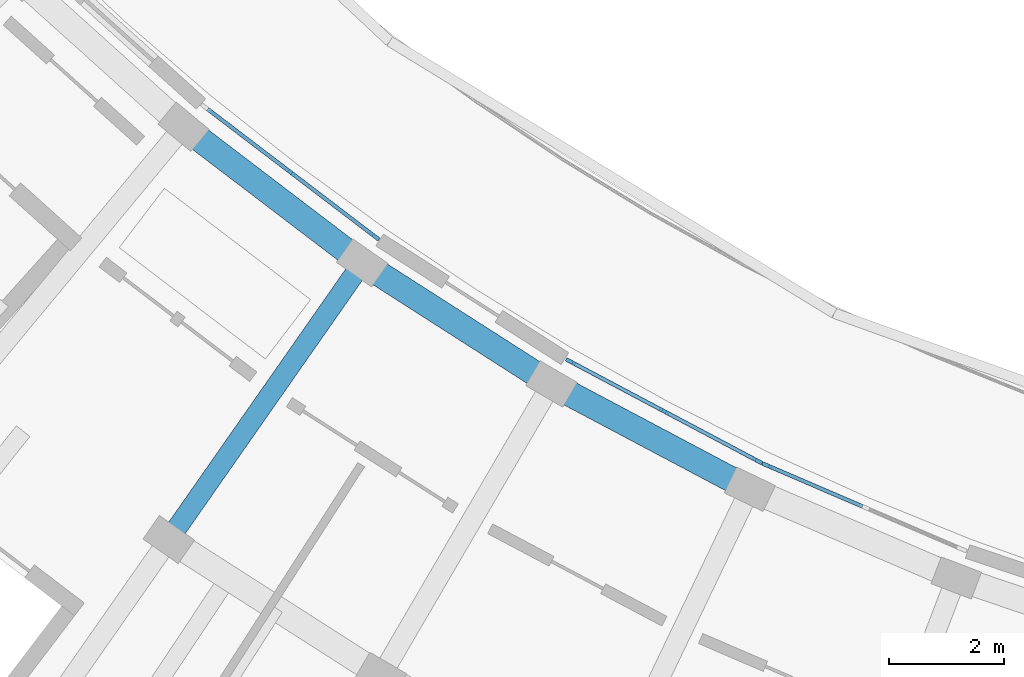
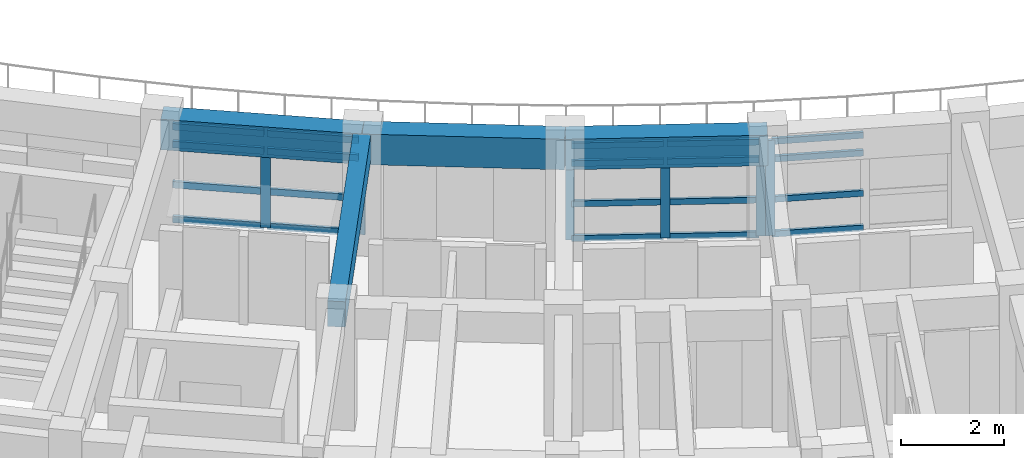
# One storey, part 13 of 54: 26 members, 4 beams, 3 elements without a shape of their own.
"""IFC4 building model written with IfcOpenShell, lengths in metres."""

from ifc_helpers import new_model, si_unit, direction, frame, origin, origin_2d, place, context, subcontext, project, spatial, rectangle, extrude, material, material_profile, profile_set, type_object, element, aggregate, save


model = new_model("IFC4")

# Units and contexts
model_context = context("Model", 3, precision=1e-05, world=origin(), true_north=direction((0.0, 1.0)))
body_context = subcontext(model_context, "Body", "Model", "MODEL_VIEW")
ifc_project = project(units=[si_unit("LENGTHUNIT", "METRE"), si_unit("AREAUNIT", "SQUARE_METRE"), si_unit("VOLUMEUNIT", "CUBIC_METRE"), si_unit("PLANEANGLEUNIT", "RADIAN"), si_unit("MASSUNIT", "GRAM", prefix="KILO")], contexts=[model_context])

# Site, building, storey
site_placement = place(None, origin())
site = spatial("IfcSite", under=ifc_project, at=site_placement, CompositionType="ELEMENT")
building_placement = place(site_placement, origin())
building = spatial("IfcBuilding", under=site, at=building_placement, Name="Zimvara Arc Housing Community", CompositionType="ELEMENT")
storey_placement = place(building_placement, frame((0.0, 0.0, 23.60009765625)))
storey = spatial("IfcBuildingStorey", under=building, at=storey_placement, Name="L07", CompositionType="ELEMENT", Elevation=23.60009765625)

# Beams
ifc_material_1 = material(Name="Concrete C40/50", Category="concrete")
ifc_material_profile_1 = material_profile(ifc_material_1, rectangle(XDim=0.35009765625, YDim=0.60009765625, at=origin_2d()), Name="RC 350x600")
ifc_profile_set_1 = profile_set([ifc_material_profile_1], Name="Concrete C40/50")
beam_type_1 = type_object("IfcBeamType", Name="BM-RC-350x600", PredefinedType="BEAM", material=ifc_profile_set_1)
beam_placement = place(storey_placement, frame((98.521728515625, 70.587158203125, 2.559814453125), z_axis=(-0.57300805165, -0.81954973781, 0.0), x_axis=(0.81954973781, -0.57300805165, 0.0)))
element("IfcBeam", 1, at=beam_placement, inside=storey, type_object=beam_type_1, Name="bm:blkC:L07:rad:b3:r12", PredefinedType="BEAM", context=body_context, shape_type="SweptSolid", body=[
    extrude(rectangle(XDim=0.35009765625, YDim=0.60009765625, at=origin_2d()), origin(), (0.0, 0.0, 1.0), 5.880126953125),
])
ifc_material_2 = material(Name="Concrete C40/50", Category="concrete")
ifc_material_profile_2 = material_profile(ifc_material_2, rectangle(XDim=0.43994140625, YDim=0.719970703125, at=origin_2d()), Name="RC 440x720")
ifc_profile_set_2 = profile_set([ifc_material_profile_2], Name="Concrete C40/50")
beam_type_2 = type_object("IfcBeamType", Name="BM-RC-440x720", PredefinedType="BEAM", material=ifc_profile_set_2)
for number, where, z_axis, x_axis, name in (
    (2, (95.408935546875, 72.958251953125, 2.5), (0.795500462697, -0.605952979899, 0.0), (0.605952979899, 0.795500462697, 0.0), "bm:blkC:L07:chord:r1:b2"),
    (3, (98.521728515625, 70.587158203125, 2.5), (0.842224940184, -0.53912628403, 0.0), (0.53912628403, 0.842224940184, 0.0), "bm:blkC:L07:chord:r1:b3"),
    (4, (101.8173828125, 68.4775390625, 2.5), (0.883464449706, -0.468498202884, 0.0), (0.468498202884, 0.883464449706, 0.0), "bm:blkC:L07:chord:r1:b4"),
):
    element("IfcBeam", number, at=place(storey_placement, frame(where, z_axis=z_axis, x_axis=x_axis)), inside=storey, type_object=beam_type_2, Name=name, PredefinedType="BEAM", context=body_context, shape_type="SweptSolid", body=[
        extrude(rectangle(XDim=0.43994140625, YDim=0.719970703125, at=origin_2d()), origin(), (0.0, 0.0, 1.0), 3.9130859375),
    ])

# Curtain wall, members
ifc_material_3 = material(Name="Anodised Aluminium AW-6063", Category="aluminium")
curtain_wall_type_1 = type_object("IfcCurtainWallType", Name="CW-SYS-08", PredefinedType="USERDEFINED", material=ifc_material_3)
curtain_wall_1_placement = place(storey_placement, origin())
curtain_wall_1 = element("IfcCurtainWall", 5, at=curtain_wall_1_placement, inside=storey, type_object=curtain_wall_type_1, Name="cw:blkC:L07:in:b4", ObjectType="CURTAIN WALL", PredefinedType="USERDEFINED")
ifc_material_4 = material(Name="Anodised Aluminium AW-6063", Category="aluminium")
ifc_material_profile_3 = material_profile(ifc_material_4, rectangle(XDim=0.06494140625, YDim=0.179931640625, at=origin_2d()), Name="ALU 65x180")
ifc_profile_set_3 = profile_set([ifc_material_profile_3], Name="Anodised Aluminium AW-6063")
member_type_1 = type_object("IfcMemberType", Name="CWM-65x150", PredefinedType="MULLION", material=ifc_profile_set_3)
member_1_placement = place(storey_placement, frame((102.1513671875, 68.8662109375, 0.0), z_axis=(0.0, 0.0, 1.0), x_axis=(0.468547099195, 0.883438518424, 0.0)))
member_1 = element("IfcMember", 6, at=member_1_placement, type_object=member_type_1, Name="CW08 mullion 1", PredefinedType="MULLION", context=body_context, shape_type="SweptSolid", body=[
    extrude(rectangle(XDim=0.06494140625, YDim=0.179931640625, at=origin_2d()), origin(), (0.0, 0.0, 1.0), 2.25),
])
member_2_placement = place(storey_placement, frame((103.780029296875, 68.002197265625, 0.0), z_axis=(0.0, 0.0, 1.0), x_axis=(0.468547099195, 0.883438518424, 0.0)))
member_2 = element("IfcMember", 7, at=member_2_placement, type_object=member_type_1, Name="CW08 mullion 2", PredefinedType="MULLION", context=body_context, shape_type="SweptSolid", body=[
    extrude(rectangle(XDim=0.06494140625, YDim=0.179931640625, at=origin_2d()), origin(), (0.0, 0.0, 1.0), 2.25),
])
member_3_placement = place(storey_placement, frame((105.40869140625, 67.138427734375, 0.0), z_axis=(0.0, 0.0, 1.0), x_axis=(0.468547099195, 0.883438518424, 0.0)))
member_3 = element("IfcMember", 8, at=member_3_placement, type_object=member_type_1, Name="CW08 mullion 3", PredefinedType="MULLION", context=body_context, shape_type="SweptSolid", body=[
    extrude(rectangle(XDim=0.06494140625, YDim=0.179931640625, at=origin_2d()), origin(), (0.0, 0.0, 1.0), 2.25),
])

# Curtain wall, member
ifc_material_5 = material(Name="Anodised Aluminium AW-6063", Category="aluminium")
curtain_wall_type_2 = type_object("IfcCurtainWallType", Name="CW-SYS-02", PredefinedType="USERDEFINED", material=ifc_material_5)
curtain_wall_2_placement = place(storey_placement, origin())
curtain_wall_2 = element("IfcCurtainWall", 9, at=curtain_wall_2_placement, inside=storey, type_object=curtain_wall_type_2, Name="cw:blkC:L07:in:b5", ObjectType="CURTAIN WALL", PredefinedType="USERDEFINED")
member_4_placement = place(storey_placement, frame((105.575439453125, 67.05859375, 0.0), z_axis=(0.0, 0.0, 1.0), x_axis=(0.394903951674, 0.918722411261, 0.0)))
member_4 = element("IfcMember", 10, at=member_4_placement, type_object=member_type_1, Name="CW02 mullion 1", PredefinedType="MULLION", context=body_context, shape_type="SweptSolid", body=[
    extrude(rectangle(XDim=0.06494140625, YDim=0.179931640625, at=origin_2d()), origin(), (0.0, 0.0, 1.0), 2.25),
])

# Curtain wall, members
ifc_material_6 = material(Name="Anodised Aluminium AW-6063", Category="aluminium")
curtain_wall_type_3 = type_object("IfcCurtainWallType", Name="CW-SYS-05", PredefinedType="USERDEFINED", material=ifc_material_6)
curtain_wall_3_placement = place(storey_placement, origin())
curtain_wall_3 = element("IfcCurtainWall", 11, at=curtain_wall_3_placement, inside=storey, type_object=curtain_wall_type_3, Name="cw:blkC:L07:in:b2", ObjectType="CURTAIN WALL", PredefinedType="USERDEFINED")
ifc_material_7 = material(Name="Anodised Aluminium AW-6063", Category="aluminium")
ifc_material_profile_4 = material_profile(ifc_material_7, rectangle(XDim=0.06494140625, YDim=0.195068359375, at=origin_2d()), Name="ALU 65x195")
ifc_profile_set_4 = profile_set([ifc_material_profile_4], Name="Anodised Aluminium AW-6063")
member_type_2 = type_object("IfcMemberType", Name="CWM-65x180", PredefinedType="MULLION", material=ifc_profile_set_4)
member_5_placement = place(storey_placement, frame((97.26806640625, 72.170166015625, 0.0), z_axis=(0.0, 0.0, 1.0), x_axis=(0.605987809503, 0.795473930895, 0.0)))
member_5 = element("IfcMember", 12, at=member_5_placement, type_object=member_type_2, Name="CW05 mullion 2", PredefinedType="MULLION", context=body_context, shape_type="SweptSolid", body=[
    extrude(rectangle(XDim=0.06494140625, YDim=0.195068359375, at=origin_2d()), origin(), (0.0, 0.0, 1.0), 2.25),
])
member_6_placement = place(storey_placement, frame((98.734619140625, 71.052978515625, 0.0), z_axis=(0.0, 0.0, 1.0), x_axis=(0.605987809503, 0.795473930895, 0.0)))
member_6 = element("IfcMember", 13, at=member_6_placement, type_object=member_type_2, Name="CW05 mullion 3", PredefinedType="MULLION", context=body_context, shape_type="SweptSolid", body=[
    extrude(rectangle(XDim=0.06494140625, YDim=0.195068359375, at=origin_2d()), origin(), (0.0, 0.0, 1.0), 2.25),
])

# Member
ifc_material_8 = material(Name="Anodised Aluminium AW-6063", Category="aluminium")
ifc_material_profile_5 = material_profile(ifc_material_8, rectangle(XDim=0.06494140625, YDim=0.139892578125, at=origin_2d()), Name="ALU 65x140")
ifc_profile_set_5 = profile_set([ifc_material_profile_5], Name="Anodised Aluminium AW-6063")
member_type_3 = type_object("IfcMemberType", Name="CWT-65x120", PredefinedType="USERDEFINED", material=ifc_profile_set_5)
member_7_placement = place(storey_placement, frame((102.179931640625, 68.850830078125, 0.032470703125), z_axis=(0.883463823767, -0.468499383238, 0.0), x_axis=(0.468499383238, 0.883463823767, 0.0)))
member_7 = element("IfcMember", 14, at=member_7_placement, type_object=member_type_3, Name="CW08 transom 1.1", ObjectType="TRANSOM", PredefinedType="USERDEFINED", context=body_context, shape_type="SweptSolid", body=[
    extrude(rectangle(XDim=0.06494140625, YDim=0.139892578125, at=origin_2d()), origin(), (0.0, 0.0, 1.0), 1.778564453125),
])

member_8_placement = place(storey_placement, frame((102.179931640625, 68.850830078125, 0.849853515625), z_axis=(0.883463823767, -0.468499383238, 0.0), x_axis=(0.468499383238, 0.883463823767, 0.0)))
member_8 = element("IfcMember", 15, at=member_8_placement, type_object=member_type_3, Name="CW08 transom 1.2", ObjectType="TRANSOM", PredefinedType="USERDEFINED", context=body_context, shape_type="SweptSolid", body=[
    extrude(rectangle(XDim=0.06494140625, YDim=0.139892578125, at=origin_2d()), origin(), (0.0, 0.0, 1.0), 1.778564453125),
])

member_9_placement = place(storey_placement, frame((102.179931640625, 68.850830078125, 1.7998046875), z_axis=(0.883463823767, -0.468499383238, 0.0), x_axis=(0.468499383238, 0.883463823767, 0.0)))
member_9 = element("IfcMember", 16, at=member_9_placement, type_object=member_type_3, Name="CW08 transom 1.3", ObjectType="TRANSOM", PredefinedType="USERDEFINED", context=body_context, shape_type="SweptSolid", body=[
    extrude(rectangle(XDim=0.06494140625, YDim=0.139892578125, at=origin_2d()), origin(), (0.0, 0.0, 1.0), 1.778564453125),
])

member_10_placement = place(storey_placement, frame((102.179931640625, 68.850830078125, 2.21728515625), z_axis=(0.883463823767, -0.468499383238, 0.0), x_axis=(0.468499383238, 0.883463823767, 0.0)))
member_10 = element("IfcMember", 17, at=member_10_placement, type_object=member_type_3, Name="CW08 transom 1.4", ObjectType="TRANSOM", PredefinedType="USERDEFINED", context=body_context, shape_type="SweptSolid", body=[
    extrude(rectangle(XDim=0.06494140625, YDim=0.139892578125, at=origin_2d()), origin(), (0.0, 0.0, 1.0), 1.778564453125),
])

member_11_placement = place(storey_placement, frame((103.808837890625, 67.987060546875, 0.032470703125), z_axis=(0.883407004942, -0.468606512566, 0.0), x_axis=(0.468606512566, 0.883407004942, 0.0)))
member_11 = element("IfcMember", 18, at=member_11_placement, type_object=member_type_3, Name="CW08 transom 2.1", ObjectType="TRANSOM", PredefinedType="USERDEFINED", context=body_context, shape_type="SweptSolid", body=[
    extrude(rectangle(XDim=0.06494140625, YDim=0.139892578125, at=origin_2d()), origin(), (0.0, 0.0, 1.0), 1.778564453125),
])

member_12_placement = place(storey_placement, frame((103.808837890625, 67.987060546875, 0.849853515625), z_axis=(0.883407004942, -0.468606512566, 0.0), x_axis=(0.468606512566, 0.883407004942, 0.0)))
member_12 = element("IfcMember", 19, at=member_12_placement, type_object=member_type_3, Name="CW08 transom 2.2", ObjectType="TRANSOM", PredefinedType="USERDEFINED", context=body_context, shape_type="SweptSolid", body=[
    extrude(rectangle(XDim=0.06494140625, YDim=0.139892578125, at=origin_2d()), origin(), (0.0, 0.0, 1.0), 1.778564453125),
])

member_13_placement = place(storey_placement, frame((103.808837890625, 67.987060546875, 1.7998046875), z_axis=(0.883407004942, -0.468606512566, 0.0), x_axis=(0.468606512566, 0.883407004942, 0.0)))
member_13 = element("IfcMember", 20, at=member_13_placement, type_object=member_type_3, Name="CW08 transom 2.3", ObjectType="TRANSOM", PredefinedType="USERDEFINED", context=body_context, shape_type="SweptSolid", body=[
    extrude(rectangle(XDim=0.06494140625, YDim=0.139892578125, at=origin_2d()), origin(), (0.0, 0.0, 1.0), 1.778564453125),
])

member_14_placement = place(storey_placement, frame((103.808837890625, 67.987060546875, 2.21728515625), z_axis=(0.883407004942, -0.468606512566, 0.0), x_axis=(0.468606512566, 0.883407004942, 0.0)))
member_14 = element("IfcMember", 21, at=member_14_placement, type_object=member_type_3, Name="CW08 transom 2.4", ObjectType="TRANSOM", PredefinedType="USERDEFINED", context=body_context, shape_type="SweptSolid", body=[
    extrude(rectangle(XDim=0.06494140625, YDim=0.139892578125, at=origin_2d()), origin(), (0.0, 0.0, 1.0), 1.778564453125),
])

aggregate(curtain_wall_1, [member_1, member_2, member_3, member_7, member_8, member_9, member_10, member_11, member_12, member_13, member_14])

member_15_placement = place(storey_placement, frame((105.605224609375, 67.045654296875, 0.032470703125), z_axis=(0.918739899324, -0.39486326417, 0.0), x_axis=(0.39486326417, 0.918739899324, 0.0)))
member_15 = element("IfcMember", 22, at=member_15_placement, type_object=member_type_3, Name="CW02 transom 1.1", ObjectType="TRANSOM", PredefinedType="USERDEFINED", context=body_context, shape_type="SweptSolid", body=[
    extrude(rectangle(XDim=0.06494140625, YDim=0.139892578125, at=origin_2d()), origin(), (0.0, 0.0, 1.0), 1.77880859375),
])

member_16_placement = place(storey_placement, frame((105.605224609375, 67.045654296875, 0.849853515625), z_axis=(0.918739899324, -0.39486326417, 0.0), x_axis=(0.39486326417, 0.918739899324, 0.0)))
member_16 = element("IfcMember", 23, at=member_16_placement, type_object=member_type_3, Name="CW02 transom 1.2", ObjectType="TRANSOM", PredefinedType="USERDEFINED", context=body_context, shape_type="SweptSolid", body=[
    extrude(rectangle(XDim=0.06494140625, YDim=0.139892578125, at=origin_2d()), origin(), (0.0, 0.0, 1.0), 1.77880859375),
])

member_17_placement = place(storey_placement, frame((105.605224609375, 67.045654296875, 1.7998046875), z_axis=(0.918739899324, -0.39486326417, 0.0), x_axis=(0.39486326417, 0.918739899324, 0.0)))
member_17 = element("IfcMember", 24, at=member_17_placement, type_object=member_type_3, Name="CW02 transom 1.3", ObjectType="TRANSOM", PredefinedType="USERDEFINED", context=body_context, shape_type="SweptSolid", body=[
    extrude(rectangle(XDim=0.06494140625, YDim=0.139892578125, at=origin_2d()), origin(), (0.0, 0.0, 1.0), 1.77880859375),
])

member_18_placement = place(storey_placement, frame((105.605224609375, 67.045654296875, 2.21728515625), z_axis=(0.918739899324, -0.39486326417, 0.0), x_axis=(0.39486326417, 0.918739899324, 0.0)))
member_18 = element("IfcMember", 25, at=member_18_placement, type_object=member_type_3, Name="CW02 transom 1.4", ObjectType="TRANSOM", PredefinedType="USERDEFINED", context=body_context, shape_type="SweptSolid", body=[
    extrude(rectangle(XDim=0.06494140625, YDim=0.139892578125, at=origin_2d()), origin(), (0.0, 0.0, 1.0), 1.77880859375),
])

aggregate(curtain_wall_2, [member_4, member_15, member_16, member_17, member_18])

ifc_material_9 = material(Name="Anodised Aluminium AW-6063", Category="aluminium")
ifc_material_profile_6 = material_profile(ifc_material_9, rectangle(XDim=0.06494140625, YDim=0.155029296875, at=origin_2d()), Name="ALU 65x155")
ifc_profile_set_6 = profile_set([ifc_material_profile_6], Name="Anodised Aluminium AW-6063")
member_type_4 = type_object("IfcMemberType", Name="CWT-65x140", PredefinedType="USERDEFINED", material=ifc_profile_set_6)
member_19_placement = place(storey_placement, frame((95.827392578125, 73.267578125, 0.032470703125), z_axis=(0.79544747465, -0.60602253677, 0.0), x_axis=(0.60602253677, 0.79544747465, 0.0)))
member_19 = element("IfcMember", 26, at=member_19_placement, type_object=member_type_4, Name="CW05 transom 1.1", ObjectType="TRANSOM", PredefinedType="USERDEFINED", context=body_context, shape_type="SweptSolid", body=[
    extrude(rectangle(XDim=0.06494140625, YDim=0.155029296875, at=origin_2d()), origin(), (0.0, 0.0, 1.0), 1.778564453125),
])

member_20_placement = place(storey_placement, frame((95.827392578125, 73.267578125, 0.849853515625), z_axis=(0.79544747465, -0.60602253677, 0.0), x_axis=(0.60602253677, 0.79544747465, 0.0)))
member_20 = element("IfcMember", 27, at=member_20_placement, type_object=member_type_4, Name="CW05 transom 1.2", ObjectType="TRANSOM", PredefinedType="USERDEFINED", context=body_context, shape_type="SweptSolid", body=[
    extrude(rectangle(XDim=0.06494140625, YDim=0.155029296875, at=origin_2d()), origin(), (0.0, 0.0, 1.0), 1.778564453125),
])

member_21_placement = place(storey_placement, frame((95.827392578125, 73.267578125, 1.7998046875), z_axis=(0.79544747465, -0.60602253677, 0.0), x_axis=(0.60602253677, 0.79544747465, 0.0)))
member_21 = element("IfcMember", 28, at=member_21_placement, type_object=member_type_4, Name="CW05 transom 1.3", ObjectType="TRANSOM", PredefinedType="USERDEFINED", context=body_context, shape_type="SweptSolid", body=[
    extrude(rectangle(XDim=0.06494140625, YDim=0.155029296875, at=origin_2d()), origin(), (0.0, 0.0, 1.0), 1.778564453125),
])

member_22_placement = place(storey_placement, frame((95.827392578125, 73.267578125, 2.21728515625), z_axis=(0.79544747465, -0.60602253677, 0.0), x_axis=(0.60602253677, 0.79544747465, 0.0)))
member_22 = element("IfcMember", 29, at=member_22_placement, type_object=member_type_4, Name="CW05 transom 1.4", ObjectType="TRANSOM", PredefinedType="USERDEFINED", context=body_context, shape_type="SweptSolid", body=[
    extrude(rectangle(XDim=0.06494140625, YDim=0.155029296875, at=origin_2d()), origin(), (0.0, 0.0, 1.0), 1.778564453125),
])

member_23_placement = place(storey_placement, frame((97.2939453125, 72.150390625, 0.032470703125), z_axis=(0.79544747465, -0.60602253677, 0.0), x_axis=(0.60602253677, 0.79544747465, 0.0)))
member_23 = element("IfcMember", 30, at=member_23_placement, type_object=member_type_4, Name="CW05 transom 2.1", ObjectType="TRANSOM", PredefinedType="USERDEFINED", context=body_context, shape_type="SweptSolid", body=[
    extrude(rectangle(XDim=0.06494140625, YDim=0.155029296875, at=origin_2d()), origin(), (0.0, 0.0, 1.0), 1.778564453125),
])

member_24_placement = place(storey_placement, frame((97.2939453125, 72.150390625, 0.849853515625), z_axis=(0.79544747465, -0.60602253677, 0.0), x_axis=(0.60602253677, 0.79544747465, 0.0)))
member_24 = element("IfcMember", 31, at=member_24_placement, type_object=member_type_4, Name="CW05 transom 2.2", ObjectType="TRANSOM", PredefinedType="USERDEFINED", context=body_context, shape_type="SweptSolid", body=[
    extrude(rectangle(XDim=0.06494140625, YDim=0.155029296875, at=origin_2d()), origin(), (0.0, 0.0, 1.0), 1.778564453125),
])

member_25_placement = place(storey_placement, frame((97.2939453125, 72.150390625, 1.7998046875), z_axis=(0.79544747465, -0.60602253677, 0.0), x_axis=(0.60602253677, 0.79544747465, 0.0)))
member_25 = element("IfcMember", 32, at=member_25_placement, type_object=member_type_4, Name="CW05 transom 2.3", ObjectType="TRANSOM", PredefinedType="USERDEFINED", context=body_context, shape_type="SweptSolid", body=[
    extrude(rectangle(XDim=0.06494140625, YDim=0.155029296875, at=origin_2d()), origin(), (0.0, 0.0, 1.0), 1.778564453125),
])

member_26_placement = place(storey_placement, frame((97.2939453125, 72.150390625, 2.21728515625), z_axis=(0.79544747465, -0.60602253677, 0.0), x_axis=(0.60602253677, 0.79544747465, 0.0)))
member_26 = element("IfcMember", 33, at=member_26_placement, type_object=member_type_4, Name="CW05 transom 2.4", ObjectType="TRANSOM", PredefinedType="USERDEFINED", context=body_context, shape_type="SweptSolid", body=[
    extrude(rectangle(XDim=0.06494140625, YDim=0.155029296875, at=origin_2d()), origin(), (0.0, 0.0, 1.0), 1.778564453125),
])

aggregate(curtain_wall_3, [member_5, member_6, member_19, member_20, member_21, member_22, member_23, member_24, member_25, member_26])

save(model, "model.ifc")
